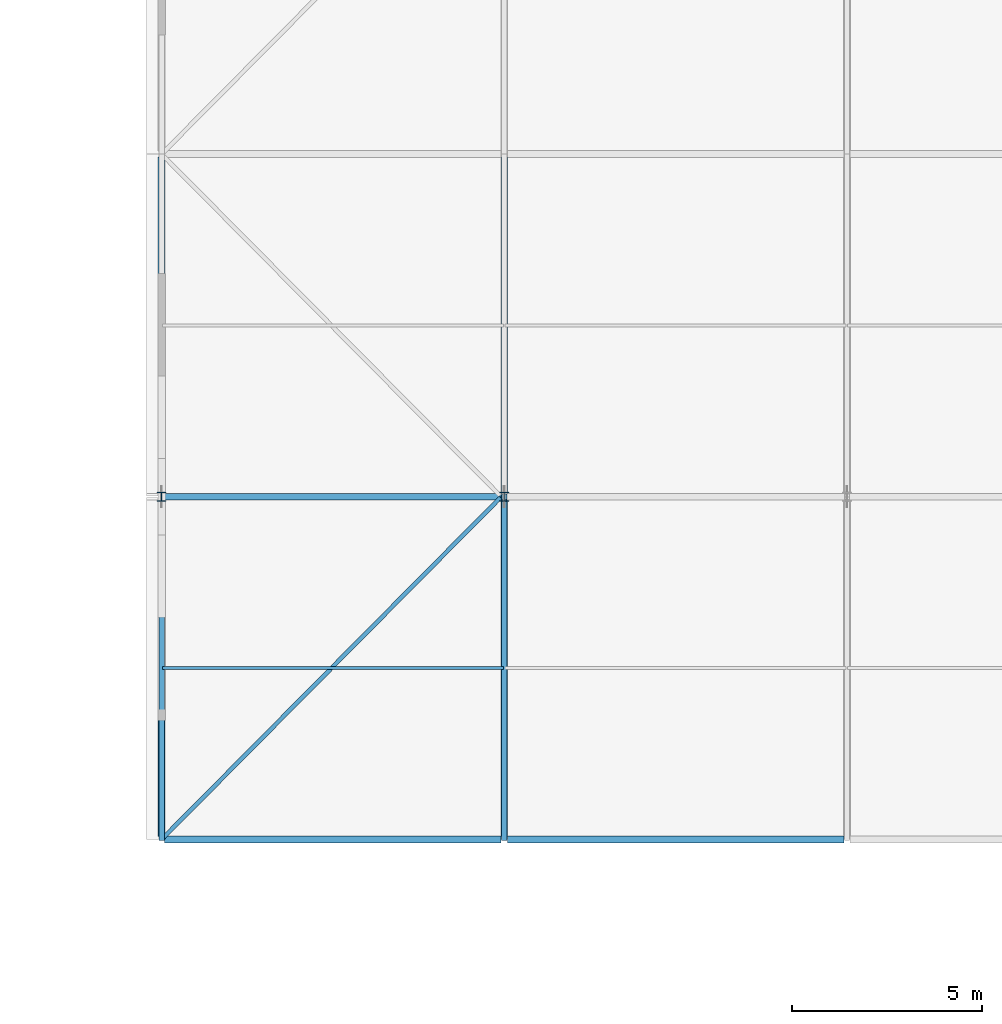
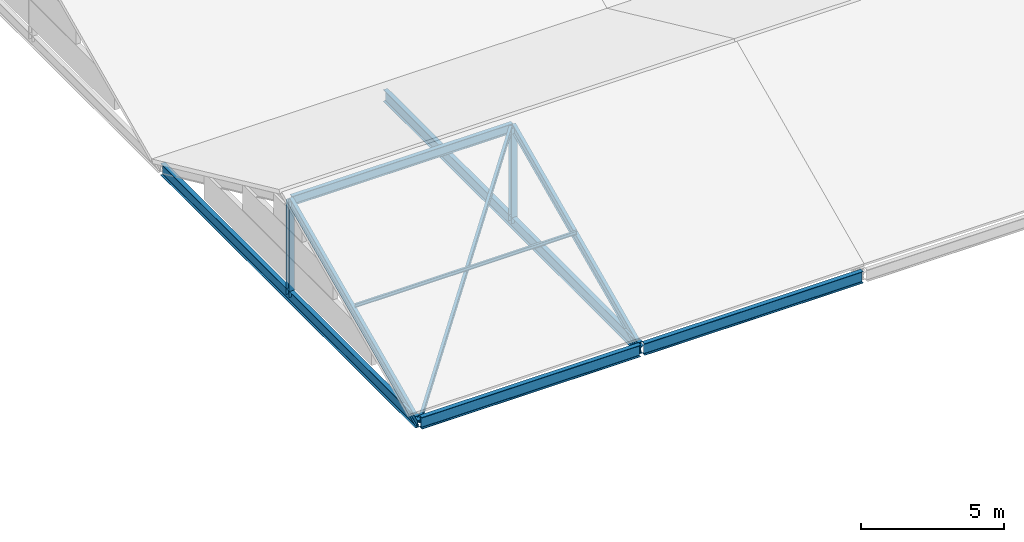
# One storey, part 79 of 163: 7 members, 4 beams.
"""IFC4 building model written with IfcOpenShell, lengths in metres."""

from ifc_helpers import new_model, si_unit, direction, frame, origin, origin_2d, place, context, subcontext, project, spatial, i_section, extrude, material, material_profile, profile_set, type_object, element, save


model = new_model("IFC4")

# Units and contexts
model_context = context("Model", 3, precision=1e-05, world=origin(), true_north=direction((0.0, 1.0)))
body_context = subcontext(model_context, "Body", "Model", "MODEL_VIEW")
ifc_project = project(units=[si_unit("LENGTHUNIT", "METRE"), si_unit("AREAUNIT", "SQUARE_METRE"), si_unit("VOLUMEUNIT", "CUBIC_METRE"), si_unit("PLANEANGLEUNIT", "RADIAN"), si_unit("MASSUNIT", "GRAM", prefix="KILO")], contexts=[model_context])

# Site, building, storey
site_placement = place(None, origin())
site = spatial("IfcSite", under=ifc_project, at=site_placement, CompositionType="ELEMENT")
building_placement = place(site_placement, origin())
building = spatial("IfcBuilding", under=site, at=building_placement, Name="Tharagai Park Tramway Depot", CompositionType="ELEMENT")
storey_placement = place(building_placement, frame((0.0, 0.0, 8.39990234375)))
storey = spatial("IfcBuildingStorey", under=building, at=storey_placement, Name="L02", CompositionType="ELEMENT", Elevation=8.39990234375)

# Beams
ifc_material_1 = material(Name="Steel E350", Category="steel")
ifc_material_profile_1 = material_profile(ifc_material_1, i_section(OverallWidth=0.179931640625, OverallDepth=0.5, WebThickness=0.01025390625, FlangeThickness=0.01708984375, FilletRadius=0.01708984375, at=origin_2d()), Name="ISMB 500")
ifc_profile_set_1 = profile_set([ifc_material_profile_1], Name="Steel E350")
beam_type = type_object("IfcBeamType", Name="BM-18", PredefinedType="BEAM", material=ifc_profile_set_1)
for number, where, z_axis, x_axis, name in (
    (1, (162.080078125, 99.0, -0.5), (1.0, 0.0, 0.0), (0.0, 1.0, 0.0), "V3B1 Roof Eave Girder BM-18"),
    (2, (171.080078125, 99.0, -0.5), (1.0, 0.0, 0.0), (0.0, 1.0, 0.0), "V3B1 Roof Eave Girder BM-18"),
):
    element("IfcBeam", number, at=place(storey_placement, frame(where, z_axis=z_axis, x_axis=x_axis)), inside=storey, type_object=beam_type, Name=name, PredefinedType="BEAM", context=body_context, shape_type="SweptSolid", body=[
        extrude(i_section(OverallWidth=0.179931640625, OverallDepth=0.5, WebThickness=0.01025390625, FlangeThickness=0.01708984375, FilletRadius=0.01708984375, at=origin_2d()), origin(), (0.0, 0.0, 1.0), 8.83984375),
    ])
for number, where, z_axis, x_axis, name in (
    (3, (162.0, 99.080078125, -0.5), (0.0, 1.0, 0.0), (-1.0, 0.0, 0.0), "V3B1 Gable Tie Girder BM-18"),
    (4, (171.0, 99.080078125, -0.5), (0.0, 1.0, 0.0), (-1.0, 0.0, 0.0), "V3B1 Gable Tie Girder BM-18"),
):
    element("IfcBeam", number, at=place(storey_placement, frame(where, z_axis=z_axis, x_axis=x_axis)), inside=storey, type_object=beam_type, Name=name, PredefinedType="BEAM", context=body_context, shape_type="SweptSolid", body=[
        extrude(i_section(OverallWidth=0.179931640625, OverallDepth=0.5, WebThickness=0.01025390625, FlangeThickness=0.01708984375, FilletRadius=0.01708984375, at=origin_2d()), origin(), (0.0, 0.0, 1.0), 17.83984375),
    ])

# Members
ifc_material_profile_2 = material_profile(ifc_material_1, i_section(OverallWidth=0.22509765625, OverallDepth=0.22509765625, WebThickness=0.008544921875, FlangeThickness=0.009033203125, FilletRadius=0.010009765625, at=origin_2d()), Name="ISHB 225")
ifc_profile_set_2 = profile_set([ifc_material_profile_2], Name="Steel E350")
member_type_1 = type_object("IfcMemberType", Name="BR-02", PredefinedType="BRACE", material=ifc_profile_set_2)
for number, where, z_axis, x_axis, name in (
    (5, (162.0, 108.0, -0.5), (0.0, 0.0, 1.0), (1.0, 0.0, 0.0), "V3B1 Gable King Strut BR-02"),
    (6, (171.0, 108.0, -0.5), (0.0, 0.0, 1.0), (1.0, 0.0, 0.0), "V3B1 Gable King Strut BR-02"),
):
    element("IfcMember", number, at=place(storey_placement, frame(where, z_axis=z_axis, x_axis=x_axis)), inside=storey, type_object=member_type_1, Name=name, PredefinedType="BRACE", context=body_context, shape_type="SweptSolid", body=[
        extrude(i_section(OverallWidth=0.22509765625, OverallDepth=0.22509765625, WebThickness=0.008544921875, FlangeThickness=0.009033203125, FilletRadius=0.010009765625, at=origin_2d()), origin(), (0.0, 0.0, 1.0), 4.06982421875),
    ])
ifc_material_profile_3 = material_profile(ifc_material_1, i_section(OverallWidth=0.110107421875, OverallDepth=0.22509765625, WebThickness=0.006591796875, FlangeThickness=0.01171875, FilletRadius=0.011962890625, at=origin_2d()), Name="ISMB 225")
ifc_profile_set_3 = profile_set([ifc_material_profile_3], Name="Steel E350")
member_type_2 = type_object("IfcMemberType", Name="BR-04", PredefinedType="BRACE", material=ifc_profile_set_3)
member_1_placement = place(storey_placement, frame((162.080078125, 99.080078125, -0.5), z_axis=(0.670013535157, 0.676083034703, 0.306583745318), x_axis=(-0.710287879152, 0.703911307432, 0.0)))
element("IfcMember", 7, at=member_1_placement, inside=storey, type_object=member_type_2, Name="V3B1 Roof Wind Brace BR-04", PredefinedType="BRACE", context=body_context, shape_type="SweptSolid", body=[
    extrude(i_section(OverallWidth=0.110107421875, OverallDepth=0.22509765625, WebThickness=0.006591796875, FlangeThickness=0.01171875, FilletRadius=0.011962890625, at=origin_2d()), origin(), (0.0, 0.0, 1.0), 13.193603515625),
])
ifc_material_2 = material(Name="Steel E250", Category="steel")
ifc_material_profile_4 = material_profile(ifc_material_2, i_section(OverallWidth=0.080078125, OverallDepth=0.14990234375, WebThickness=0.0048828125, FlangeThickness=0.007568359375, FilletRadius=0.009033203125, at=origin_2d()), Name="ISMB 150")
ifc_profile_set_4 = profile_set([ifc_material_profile_4], Name="Steel E250")
member_type_3 = type_object("IfcMemberType", Name="PR-05", PredefinedType="PURLIN", material=ifc_profile_set_4)
member_2_placement = place(storey_placement, frame((162.02001953125, 103.5, 1.77392578125), z_axis=(1.0, 0.0, 0.0), x_axis=(0.0, 1.0, 0.0)))
element("IfcMember", 8, at=member_2_placement, inside=storey, type_object=member_type_3, Name="V3B1 Roof Purlin PR-05", PredefinedType="PURLIN", context=body_context, shape_type="SweptSolid", body=[
    extrude(i_section(OverallWidth=0.080078125, OverallDepth=0.14990234375, WebThickness=0.0048828125, FlangeThickness=0.007568359375, FilletRadius=0.009033203125, at=origin_2d()), origin(), (0.0, 0.0, 1.0), 8.9599609375),
])
ifc_material_profile_5 = material_profile(ifc_material_1, i_section(OverallWidth=0.139892578125, OverallDepth=0.35009765625, WebThickness=0.008056640625, FlangeThickness=0.01416015625, FilletRadius=0.013916015625, at=origin_2d()), Name="ISMB 350")
ifc_profile_set_5 = profile_set([ifc_material_profile_5], Name="Steel E350")
member_type_4 = type_object("IfcMemberType", Name="RF-01", PredefinedType="RAFTER", material=ifc_profile_set_5)
for number, where, z_axis, x_axis, name in (
    (9, (162.0, 99.050048828125, -0.53173828125), (0.0, 0.909083998875, 0.416612869448), (-1.0, 0.0, 0.0), "V3B1 Pitched Rafter RF-01 South"),
    (10, (171.0, 99.050048828125, -0.53173828125), (0.0, 0.909083998875, 0.416612869448), (-1.0, 0.0, 0.0), "V3B1 Pitched Rafter RF-01 South"),
):
    element("IfcMember", number, at=place(storey_placement, frame(where, z_axis=z_axis, x_axis=x_axis)), inside=storey, type_object=member_type_4, Name=name, PredefinedType="RAFTER", context=body_context, shape_type="SweptSolid", body=[
        extrude(i_section(OverallWidth=0.139892578125, OverallDepth=0.35009765625, WebThickness=0.008056640625, FlangeThickness=0.01416015625, FilletRadius=0.013916015625, at=origin_2d()), origin(), (0.0, 0.0, 1.0), 9.844970703125),
    ])
ifc_material_profile_6 = material_profile(ifc_material_1, i_section(OverallWidth=0.1650390625, OverallDepth=0.39990234375, WebThickness=0.008056640625, FlangeThickness=0.012451171875, FilletRadius=0.013916015625, at=origin_2d()), Name="ISLB 400")
ifc_profile_set_6 = profile_set([ifc_material_profile_6], Name="Steel E350")
member_type_5 = type_object("IfcMemberType", Name="TC-04", PredefinedType="CHORD", material=ifc_profile_set_6)
member_3_placement = place(storey_placement, frame((162.0400390625, 108.0, 3.544921875), z_axis=(1.0, 0.0, 0.0), x_axis=(0.0, 1.0, 0.0)))
element("IfcMember", 11, at=member_3_placement, inside=storey, type_object=member_type_5, Name="V3B1 Roof Ridge Chord TC-04", PredefinedType="CHORD", context=body_context, shape_type="SweptSolid", body=[
    extrude(i_section(OverallWidth=0.1650390625, OverallDepth=0.39990234375, WebThickness=0.008056640625, FlangeThickness=0.012451171875, FilletRadius=0.013916015625, at=origin_2d()), origin(), (0.0, 0.0, 1.0), 8.919921875),
])

save(model, "model.ifc")
